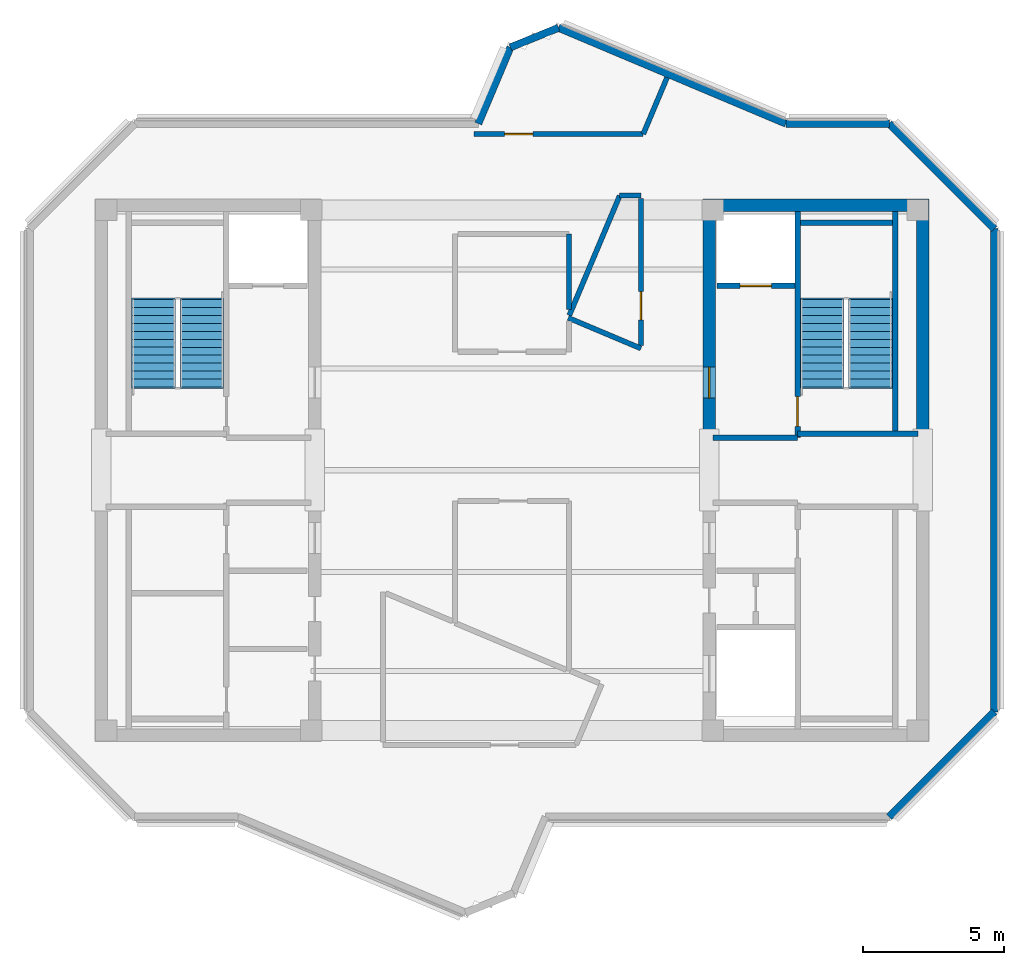
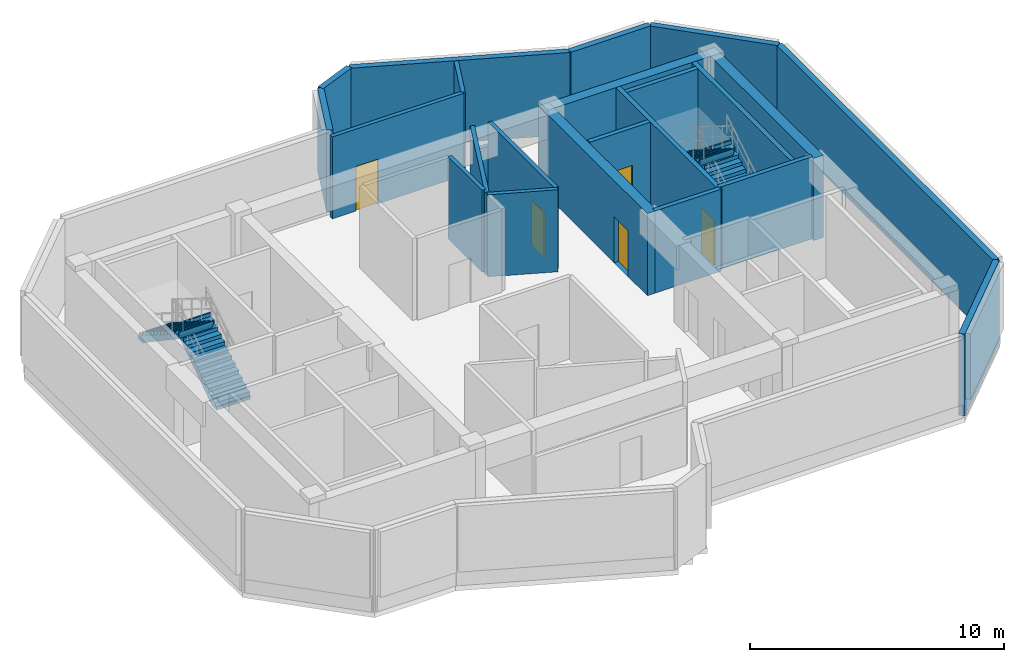
# One storey, part 3 of 5: 23 walls, 5 doors, 4 stair flights, 5 openings, 2 elements without a shape of their own.
"""IFC4 building model written with IfcOpenShell, lengths in metres."""

import ifcopenshell
import ifcopenshell.guid

model = None  # the IFC model being written
_history = None  # IfcOwnerHistory: only IFC2X3 demands one
_inside = {}  # id of a spatial element -> (the spatial element, [elements in it])
_under = {}  # id of a project, library or spatial element -> (it, [spatial elements below it])
_declared = {}  # id of a project -> (the project, [libraries it declares])
_typed = {}  # id of a type object -> (the type object, [elements of that type])
_made_of = {}  # id of a material, layer set ... -> (it, [elements and type objects made of it])


def new_model(schema):
    """Start an empty IFC model of exactly this schema.

    Asked for "IFC4X3", IfcOpenShell would pick the latest addendum, in which some entities
    have other attributes; the version numbers below select the first issue.
    IFC2X3 requires an IfcOwnerHistory on every rooted entity: one is made here for all.
    """
    global model, _history
    if schema == "IFC4X3":
        model = ifcopenshell.file(schema_version=(4, 3, 0, 0))
    else:
        model = ifcopenshell.file(schema=schema)
    _inside.clear()
    _under.clear()
    _declared.clear()
    _typed.clear()
    _made_of.clear()
    _history = None
    if model.schema == "IFC2X3":
        org = make("IfcOrganization", Name="unknown")
        user = make(
            "IfcPersonAndOrganization",
            ThePerson=make("IfcPerson", FamilyName="unknown"),
            TheOrganization=org,
        )
        app = make(
            "IfcApplication",
            ApplicationDeveloper=org,
            Version="unknown",
            ApplicationFullName="unknown",
            ApplicationIdentifier="unknown",
        )
        _history = make(
            "IfcOwnerHistory",
            OwningUser=user,
            OwningApplication=app,
            ChangeAction="ADDED",
            CreationDate=0,
        )
    return model


def make(cls, **values):
    """One entity of the class cls with the attributes given. An attribute that is None is left unset."""
    return model.create_entity(
        cls, **{name: value for name, value in values.items() if value is not None}
    )


def rooted(cls, **values):
    """An entity with a GlobalId (a new one), such as an element, a storey or a relation."""
    return make(cls, GlobalId=ifcopenshell.guid.new(), OwnerHistory=_history, **values)


def si_unit(unit_type, name, prefix=None):
    """IfcSIUnit, for example si_unit("LENGTHUNIT", "METRE", prefix="MILLI")."""
    return make("IfcSIUnit", UnitType=unit_type, Prefix=prefix, Name=name)


def assignment(units):
    """IfcUnitAssignment: the units of a project."""
    return None if units is None else make("IfcUnitAssignment", Units=units)


def point(xyz):
    """IfcCartesianPoint."""
    return None if xyz is None else make("IfcCartesianPoint", Coordinates=xyz)


def direction(xyz):
    """IfcDirection."""
    return None if xyz is None else make("IfcDirection", DirectionRatios=xyz)


def frame(location, z_axis=None, x_axis=None):
    """IfcAxis2Placement3D, a coordinate frame: its origin and axes. An axis left out is left unset."""
    return make(
        "IfcAxis2Placement3D",
        Location=point(location),
        Axis=direction(z_axis),
        RefDirection=direction(x_axis),
    )


def frame_2d(location, x_axis=None):
    """IfcAxis2Placement2D, a coordinate frame in the plane: its origin and x axis."""
    return make(
        "IfcAxis2Placement2D", Location=point(location), RefDirection=direction(x_axis)
    )


def origin():
    """The frame at (0, 0, 0) with its axes left unset."""
    return frame((0.0, 0.0, 0.0))


def place(relative_to, where):
    """IfcLocalPlacement: puts the frame where relative to a parent placement (None: the world)."""
    return make(
        "IfcLocalPlacement", PlacementRelTo=relative_to, RelativePlacement=where
    )


def context(
    kind, dimensions, precision=None, world=None, true_north=None, identifier=None
):
    """IfcGeometricRepresentationContext, for example the 3D "Model" context."""
    return make(
        "IfcGeometricRepresentationContext",
        ContextIdentifier=identifier,
        ContextType=kind,
        CoordinateSpaceDimension=dimensions,
        Precision=precision,
        WorldCoordinateSystem=world,
        TrueNorth=true_north,
    )


def subcontext(parent, identifier, kind, view, scale=None):
    """IfcGeometricRepresentationSubContext, for example "Body" below "Model"."""
    return make(
        "IfcGeometricRepresentationSubContext",
        ContextIdentifier=identifier,
        ContextType=kind,
        ParentContext=parent,
        TargetScale=scale,
        TargetView=view,
    )


def project(units=None, contexts=None):
    """IfcProject with its units and contexts."""
    return rooted(
        "IfcProject",
        Name="project",
        RepresentationContexts=contexts,
        UnitsInContext=assignment(units),
    )


def spatial(cls, under=None, at=None, **own):
    """A site, building, storey or space (cls), placed at a placement, below another one or the project."""
    s = rooted(cls, ObjectPlacement=at, **own)
    if under is not None:
        _under.setdefault(under.id(), (under, []))[1].append(s)
    return s


def polyline(points):
    """IfcPolyline through the points."""
    return make("IfcPolyline", Points=[point(p) for p in points])


def profile(cls, at=None, kind="AREA", **sizes):
    """A parametric profile (cls). Its sizes go by their IFC names, for example OverallWidth=200.0."""
    return make(cls, ProfileType=kind, Position=at, **sizes)


def rectangle(**sizes):
    """IfcRectangleProfileDef."""
    return profile("IfcRectangleProfileDef", **sizes)


def outline(outer, holes=None, kind="AREA"):
    """IfcArbitraryClosedProfileDef: a profile drawn as a closed curve; with holes, ...WithVoids."""
    if holes is None:
        return make("IfcArbitraryClosedProfileDef", ProfileType=kind, OuterCurve=outer)
    return make(
        "IfcArbitraryProfileDefWithVoids",
        ProfileType=kind,
        OuterCurve=outer,
        InnerCurves=holes,
    )


def extrude(swept, where, along, depth):
    """IfcExtrudedAreaSolid: the profile swept, set in the frame where, extruded along a direction by depth."""
    return make(
        "IfcExtrudedAreaSolid",
        SweptArea=swept,
        Position=where,
        ExtrudedDirection=direction(along),
        Depth=depth,
    )


def shape(context_of_items, identifier, shape_type, items):
    """IfcShapeRepresentation: the items that make up one representation, for example the "Body"."""
    return make(
        "IfcShapeRepresentation",
        ContextOfItems=context_of_items,
        RepresentationIdentifier=identifier,
        RepresentationType=shape_type,
        Items=items,
    )


def source(mapping_origin, context_of_items, identifier, shape_type, items):
    """IfcRepresentationMap: a shape defined once, which mapped items show again and again."""
    return make(
        "IfcRepresentationMap",
        MappingOrigin=mapping_origin,
        MappedRepresentation=shape(context_of_items, identifier, shape_type, items),
    )


def transform(
    local_origin,
    x_axis=None,
    y_axis=None,
    z_axis=None,
    scale=None,
    scale2=None,
    scale3=None,
    uniform=True,
):
    """IfcCartesianTransformationOperator3D, or its non-uniform kind. x_axis, y_axis, z_axis: its Axis1, 2, 3."""
    if uniform:
        return make(
            "IfcCartesianTransformationOperator3D",
            Axis1=direction(x_axis),
            Axis2=direction(y_axis),
            LocalOrigin=point(local_origin),
            Scale=scale,
            Axis3=direction(z_axis),
        )
    return make(
        "IfcCartesianTransformationOperator3DnonUniform",
        Axis1=direction(x_axis),
        Axis2=direction(y_axis),
        LocalOrigin=point(local_origin),
        Scale=scale,
        Axis3=direction(z_axis),
        Scale2=scale2,
        Scale3=scale3,
    )


def mapped(mapping_source, mapping_target):
    """IfcMappedItem: shows the shape of a source again, moved by a transform."""
    return make(
        "IfcMappedItem", MappingSource=mapping_source, MappingTarget=mapping_target
    )


def material(Name=None, Category=None):
    """IfcMaterial."""
    return make("IfcMaterial", Name=Name, Category=Category)


def layer(
    of_material, thickness, ventilated=None, Name=None, Category=None, Priority=None
):
    """IfcMaterialLayer: one layer of a wall or slab, of a material (None: an air gap)."""
    return make(
        "IfcMaterialLayer",
        Material=of_material,
        LayerThickness=thickness,
        IsVentilated=ventilated,
        Name=Name,
        Category=Category,
        Priority=Priority,
    )


def layer_set(layers, Name=None):
    """IfcMaterialLayerSet."""
    return make("IfcMaterialLayerSet", MaterialLayers=layers, LayerSetName=Name)


def made_of(thing, what):
    """Note that an element or type object is made of a material, layer set ...; save() writes the relation."""
    if what is not None:
        _made_of.setdefault(what.id(), (what, []))[1].append(thing)
    return thing


def type_object(cls, material=None, **own):
    """A type object (cls), such as IfcWallType, which elements share."""
    return made_of(rooted(cls, **own), material)


def element(
    cls,
    number,
    at=None,
    inside=None,
    cuts=None,
    type_object=None,
    material=None,
    context=None,
    identifier="Body",
    shape_type=None,
    held_by="IfcProductDefinitionShape",
    body=None,
    shapes=None,
    **own,
):
    """One element of the class cls, such as IfcWall. Its Tag is "e" and its number.

    at: its placement. inside: the storey or other place that contains it. cuts: it is an
    opening in that element (IfcRelVoidsElement). A single representation is given by context,
    identifier, shape_type and body (its items); several are given by shapes. held_by: the class
    of the entity that holds the representations. save() writes the other relations.
    """
    e = rooted(cls, Tag="e%d" % number, ObjectPlacement=at, **own)
    if body is not None:
        shapes = [shape(context, identifier, shape_type, body)]
    if shapes is not None:
        e.Representation = make(held_by, Representations=shapes)
    if inside is not None:
        _inside.setdefault(inside.id(), (inside, []))[1].append(e)
    if cuts is not None:
        rooted(
            "IfcRelVoidsElement", RelatingBuildingElement=cuts, RelatedOpeningElement=e
        )
    if type_object is not None:
        _typed.setdefault(type_object.id(), (type_object, []))[1].append(e)
    return made_of(e, material)


def fill(opening, filler):
    """IfcRelFillsElement: the door or window that sits in an opening."""
    return rooted(
        "IfcRelFillsElement",
        RelatingOpeningElement=opening,
        RelatedBuildingElement=filler,
    )


def aggregate(whole, parts):
    """IfcRelAggregates: a whole, such as a stair, and the parts it consists of."""
    return rooted("IfcRelAggregates", RelatingObject=whole, RelatedObjects=parts)


def save(model, path):
    """Write the relations noted so far, then the file.

    IfcRelAggregates (storeys below a building ...), IfcRelContainedInSpatialStructure (elements
    in a storey), IfcRelDefinesByType, IfcRelAssociatesMaterial and IfcRelDeclares: one each for
    every whole, place, type object, material and project.
    """
    for whole, parts in _under.values():
        aggregate(whole, parts)
    for where, things in _inside.values():
        rooted(
            "IfcRelContainedInSpatialStructure",
            RelatedElements=things,
            RelatingStructure=where,
        )
    for kind, things in _typed.values():
        rooted("IfcRelDefinesByType", RelatedObjects=things, RelatingType=kind)
    for what, things in _made_of.values():
        rooted("IfcRelAssociatesMaterial", RelatedObjects=things, RelatingMaterial=what)
    for by, libraries in _declared.values():
        rooted("IfcRelDeclares", RelatingContext=by, RelatedDefinitions=libraries)
    model.write(path)


model = new_model("IFC4")

# Units and contexts
model_context = context("Model", 3, precision=1e-05, world=origin(), true_north=direction((0.0, 1.0)))
body_context = subcontext(model_context, "Body", "Model", "MODEL_VIEW")
ifc_project = project(units=[si_unit("LENGTHUNIT", "METRE"), si_unit("AREAUNIT", "SQUARE_METRE"), si_unit("VOLUMEUNIT", "CUBIC_METRE"), si_unit("PLANEANGLEUNIT", "RADIAN"), si_unit("MASSUNIT", "GRAM", prefix="KILO")], contexts=[model_context])

# Site, building, storey
site_placement = place(None, origin())
site = spatial("IfcSite", under=ifc_project, at=site_placement, CompositionType="ELEMENT")
building_placement = place(site_placement, origin())
building = spatial("IfcBuilding", under=site, at=building_placement, Name="Zahravan Cultural Tower", CompositionType="ELEMENT")
storey_placement = place(building_placement, frame((0.0, 0.0, 383.85009765625)))
storey = spatial("IfcBuildingStorey", under=building, at=storey_placement, Name="L93", CompositionType="ELEMENT", Elevation=383.85009765625)

# Wall, opening, door
ifc_material_1 = material(Name="Concrete C50/60", Category="concrete")
ifc_layer_1 = layer(ifc_material_1, 0.449951171875)
ifc_layer_set_1 = layer_set([ifc_layer_1], Name="Concrete C50/60")
wall_type_1 = type_object("IfcWallType", Name="CW-SHEAR-450-C50", PredefinedType="SHEAR", material=ifc_layer_set_1)
wall_1_placement = place(storey_placement, frame((42.97509765625, 28.050048828125, 0.0), z_axis=(0.0, 0.0, 1.0), x_axis=(0.0, 1.0, 0.0)))
wall_1 = element("IfcWall", 1, at=wall_1_placement, inside=storey, type_object=wall_type_1, Name="L93 Core Shear Wall CW-E-WN-L93", PredefinedType="SHEAR", context=body_context, shape_type="SweptSolid", body=[
    extrude(rectangle(XDim=8.550048828125, YDim=0.449951171875, at=frame_2d((4.27490234375, 0.0))), origin(), (0.0, 0.0, 1.0), 3.93994140625),
])
opening_1_placement = place(wall_1_placement, frame((1.5, 0.0, 0.0)))
opening_1 = element("IfcOpeningElement", 2, at=opening_1_placement, cuts=wall_1, Name="Opening D-L93-07", PredefinedType="OPENING", context=body_context, shape_type="SweptSolid", body=[
    extrude(rectangle(XDim=1.10009765625, YDim=2.199951171875, at=frame_2d((0.550048828125, 1.10009765625))), frame((0.0, 0.23486328125, 0.0), z_axis=(0.0, -1.0, 0.0), x_axis=(1.0, 0.0, 0.0)), (0.0, 0.0, 1.0), 0.469970703125),
])
ifc_material_2 = material(Name="Steel ASTM A572 Grade 50", Category="steel")
door_type_1 = type_object("IfcDoorType", Name="DR-LOBBY-1100", OperationType="NOTDEFINED", PredefinedType="DOOR", material=ifc_material_2)
shared_shape_1 = source(origin(), body_context, "Body", "SweptSolid", [
    extrude(rectangle(XDim=1.10009765625, YDim=2.199951171875, at=frame_2d((0.550048828125, 1.10009765625))), frame((0.0, 0.02490234375, 0.0), z_axis=(0.0, -1.0, 0.0), x_axis=(1.0, 0.0, 0.0)), (0.0, 0.0, 1.0), 0.050048828125),
])
door_1_placement = place(opening_1_placement, origin())
door_1 = element("IfcDoor", 3, at=door_1_placement, inside=storey, type_object=door_type_1, Name="L93 Door D-L93-07", OperationType="SINGLE_SWING_LEFT", OverallHeight=2.199951171875, OverallWidth=1.10009765625, PredefinedType="DOOR", context=body_context, shape_type="MappedRepresentation", body=[
    mapped(shared_shape_1, transform((0.0, 0.0, 0.0), x_axis=(1.0, 0.0, 0.0), y_axis=(0.0, 1.0, 0.0), z_axis=(0.0, 0.0, 1.0), scale=1.0)),
])
fill(opening_1, door_1)

ifc_material_3 = material(Name="Gypsum plasterboard partition")
ifc_layer_2 = layer(ifc_material_3, 0.179931640625)
ifc_layer_set_2 = layer_set([ifc_layer_2], Name="Gypsum plasterboard partition")
wall_type_2 = type_object("IfcWallType", Name="W-COMP-180", PredefinedType="PARTITIONING", material=ifc_layer_set_2)
wall_2_placement = place(storey_placement, frame((40.56005859375, 36.614990234375, 0.0), z_axis=(0.0, 0.0, 1.0), x_axis=(0.0, -1.0, 0.0)))
wall_2 = element("IfcWall", 4, at=wall_2_placement, inside=storey, type_object=wall_type_2, Name="L93 Interior Wall 032", PredefinedType="PARTITIONING", context=body_context, shape_type="SweptSolid", body=[
    extrude(rectangle(XDim=5.20458984375, YDim=0.179931640625, at=frame_2d((2.602294921875, 0.0))), origin(), (0.0, 0.0, 1.0), 3.93994140625),
])
opening_2_placement = place(wall_2_placement, frame((3.293701171875, 0.0, 0.0)))
opening_2 = element("IfcOpeningElement", 5, at=opening_2_placement, cuts=wall_2, Name="Opening D-L93-15", PredefinedType="OPENING", context=body_context, shape_type="SweptSolid", body=[
    extrude(rectangle(XDim=1.0, YDim=2.14990234375, at=frame_2d((0.5, 1.074951171875))), frame((0.0, 0.099853515625, 0.0), z_axis=(0.0, -1.0, 0.0), x_axis=(1.0, 0.0, 0.0)), (0.0, 0.0, 1.0), 0.199951171875),
])
door_type_2 = type_object("IfcDoorType", Name="DR-COMP-1000", OperationType="NOTDEFINED", PredefinedType="DOOR", material=ifc_material_2)
shared_shape_2 = source(origin(), body_context, "Body", "SweptSolid", [
    extrude(rectangle(XDim=1.0, YDim=2.14990234375, at=frame_2d((0.5, 1.074951171875))), frame((0.0, 0.02490234375, 0.0), z_axis=(0.0, -1.0, 0.0), x_axis=(1.0, 0.0, 0.0)), (0.0, 0.0, 1.0), 0.050048828125),
])
door_2_placement = place(opening_2_placement, origin())
door_2 = element("IfcDoor", 6, at=door_2_placement, inside=storey, type_object=door_type_2, Name="L93 Door D-L93-15", OperationType="SINGLE_SWING_LEFT", OverallHeight=2.14990234375, OverallWidth=1.0, PredefinedType="DOOR", context=body_context, shape_type="MappedRepresentation", body=[
    mapped(shared_shape_2, transform((0.0, 0.0, 0.0), x_axis=(1.0, 0.0, 0.0), y_axis=(0.0, 1.0, 0.0), z_axis=(0.0, 0.0, 1.0), scale=1.0)),
])
fill(opening_2, door_2)

wall_3_placement = place(storey_placement, frame((40.641357421875, 38.889892578125, 0.0), z_axis=(0.0, 0.0, 1.0), x_axis=(-1.0, 0.0, 0.0)))
wall_3 = element("IfcWall", 7, at=wall_3_placement, inside=storey, type_object=wall_type_2, Name="L93 Interior Wall 039", PredefinedType="PARTITIONING", context=body_context, shape_type="SweptSolid", body=[
    extrude(rectangle(XDim=5.989990234375, YDim=0.179931640625, at=frame_2d((2.9951171875, 0.0))), origin(), (0.0, 0.0, 1.0), 3.93994140625),
])
opening_3_placement = place(wall_3_placement, frame((3.90625, 0.0, 0.0)))
opening_3 = element("IfcOpeningElement", 8, at=opening_3_placement, cuts=wall_3, Name="Opening D-L93-16", PredefinedType="OPENING", context=body_context, shape_type="SweptSolid", body=[
    extrude(rectangle(XDim=1.0, YDim=2.14990234375, at=frame_2d((0.5, 1.074951171875))), frame((0.0, 0.099853515625, 0.0), z_axis=(0.0, -1.0, 0.0), x_axis=(1.0, 0.0, 0.0)), (0.0, 0.0, 1.0), 0.199951171875),
])
door_3_placement = place(opening_3_placement, origin())
door_3 = element("IfcDoor", 9, at=door_3_placement, inside=storey, type_object=door_type_2, Name="L93 Door D-L93-16", OperationType="SINGLE_SWING_RIGHT", OverallHeight=2.14990234375, OverallWidth=1.0, PredefinedType="DOOR", context=body_context, shape_type="MappedRepresentation", body=[
    mapped(shared_shape_2, transform((0.0, 0.0, 0.0), x_axis=(1.0, 0.0, 0.0), y_axis=(0.0, 1.0, 0.0), z_axis=(0.0, 0.0, 1.0), scale=1.0)),
])
fill(opening_3, door_3)

ifc_material_4 = material(Name="Concrete C45/55", Category="concrete")
ifc_layer_3 = layer(ifc_material_4, 0.199951171875)
ifc_layer_set_3 = layer_set([ifc_layer_3], Name="Concrete C45/55")
wall_type_3 = type_object("IfcWallType", Name="W-SHAFT-200", PredefinedType="SOLIDWALL", material=ifc_layer_set_3)
wall_4_placement = place(storey_placement, frame((46.10009765625, 28.14990234375, 0.0), z_axis=(0.0, 0.0, 1.0), x_axis=(0.0, 1.0, 0.0)))
wall_4 = element("IfcWall", 10, at=wall_4_placement, inside=storey, type_object=wall_type_3, Name="L93 Interior Wall 008", PredefinedType="SOLIDWALL", context=body_context, shape_type="SweptSolid", body=[
    extrude(rectangle(XDim=8.0, YDim=0.199951171875, at=frame_2d((4.0, 0.0))), origin(), (0.0, 0.0, 1.0), 3.93994140625),
])
opening_4_placement = place(wall_4_placement, frame((0.39990234375, 0.0, 0.0)))
opening_4 = element("IfcOpeningElement", 11, at=opening_4_placement, cuts=wall_4, Name="Opening D-L93-02", PredefinedType="OPENING", context=body_context, shape_type="SweptSolid", body=[
    extrude(rectangle(XDim=1.050048828125, YDim=2.14990234375, at=frame_2d((0.52490234375, 1.074951171875))), frame((0.0, 0.10986328125, 0.0), z_axis=(0.0, -1.0, 0.0), x_axis=(1.0, 0.0, 0.0)), (0.0, 0.0, 1.0), 0.219970703125),
])
door_type_3 = type_object("IfcDoorType", Name="DR-STAIR-1050", OperationType="NOTDEFINED", PredefinedType="DOOR", material=ifc_material_2)
shared_shape_3 = source(origin(), body_context, "Body", "SweptSolid", [
    extrude(rectangle(XDim=1.050048828125, YDim=2.14990234375, at=frame_2d((0.52490234375, 1.074951171875))), frame((0.0, 0.02490234375, 0.0), z_axis=(0.0, -1.0, 0.0), x_axis=(1.0, 0.0, 0.0)), (0.0, 0.0, 1.0), 0.050048828125),
])
door_4_placement = place(opening_4_placement, origin())
door_4 = element("IfcDoor", 12, at=door_4_placement, inside=storey, type_object=door_type_3, Name="L93 Door D-L93-02", OperationType="SINGLE_SWING_RIGHT", OverallHeight=2.14990234375, OverallWidth=1.050048828125, PredefinedType="DOOR", context=body_context, shape_type="MappedRepresentation", body=[
    mapped(shared_shape_3, transform((0.0, 0.0, 0.0), x_axis=(1.0, 0.0, 0.0), y_axis=(0.0, 1.0, 0.0), z_axis=(0.0, 0.0, 1.0), scale=1.0)),
])
fill(opening_4, door_4)

wall_5_placement = place(storey_placement, frame((43.25, 33.52001953125, 0.0), z_axis=(0.0, 0.0, 1.0), x_axis=(1.0, 0.0, 0.0)))
wall_5 = element("IfcWall", 13, at=wall_5_placement, inside=storey, type_object=wall_type_3, Name="L93 Interior Wall 023", PredefinedType="SOLIDWALL", context=body_context, shape_type="SweptSolid", body=[
    extrude(rectangle(XDim=2.75, YDim=0.199951171875, at=frame_2d((1.375, 0.0))), origin(), (0.0, 0.0, 1.0), 3.93994140625),
])
opening_5_placement = place(wall_5_placement, frame((0.820068359375, 0.0, 0.0)))
opening_5 = element("IfcOpeningElement", 14, at=opening_5_placement, cuts=wall_5, Name="Opening LD-L93-02", PredefinedType="OPENING", context=body_context, shape_type="SweptSolid", body=[
    extrude(rectangle(XDim=1.10009765625, YDim=2.14990234375, at=frame_2d((0.550048828125, 1.074951171875))), frame((0.0, 0.10986328125, 0.0), z_axis=(0.0, -1.0, 0.0), x_axis=(1.0, 0.0, 0.0)), (0.0, 0.0, 1.0), 0.219970703125),
])
door_type_4 = type_object("IfcDoorType", Name="DR-LIFT-1100", OperationType="DOUBLE_DOOR_SLIDING", PredefinedType="DOOR", material=ifc_material_2)
shared_shape_4 = source(origin(), body_context, "Body", "SweptSolid", [
    extrude(rectangle(XDim=1.10009765625, YDim=2.14990234375, at=frame_2d((0.550048828125, 1.074951171875))), frame((0.0, 0.02490234375, 0.0), z_axis=(0.0, -1.0, 0.0), x_axis=(1.0, 0.0, 0.0)), (0.0, 0.0, 1.0), 0.050048828125),
])
door_5_placement = place(opening_5_placement, origin())
door_5 = element("IfcDoor", 15, at=door_5_placement, inside=storey, type_object=door_type_4, Name="L93 Door LD-L93-02", OperationType="DOUBLE_DOOR_SLIDING", OverallHeight=2.14990234375, OverallWidth=1.10009765625, PredefinedType="DOOR", context=body_context, shape_type="MappedRepresentation", body=[
    mapped(shared_shape_4, transform((0.0, 0.0, 0.0), x_axis=(1.0, 0.0, 0.0), y_axis=(0.0, 1.0, 0.0), z_axis=(0.0, 0.0, 1.0), scale=1.0)),
])
fill(opening_5, door_5)

# Walls
shared_shape_5 = source(origin(), body_context, "Body", "SweptSolid", [
    extrude(rectangle(XDim=8.550048828125, YDim=0.449951171875, at=frame_2d((4.27490234375, 0.0))), origin(), (0.0, 0.0, 1.0), 3.93994140625),
])
wall_6_placement = place(storey_placement, frame((50.52490234375, 28.050048828125, 0.0), z_axis=(0.0, 0.0, 1.0), x_axis=(0.0, 1.0, 0.0)))
element("IfcWall", 16, at=wall_6_placement, inside=storey, type_object=wall_type_1, Name="L93 Core Shear Wall CW-E-EN-L93", PredefinedType="SHEAR", context=body_context, shape_type="MappedRepresentation", body=[
    mapped(shared_shape_5, transform((0.0, 0.0, 0.0), x_axis=(1.0, 0.0, 0.0), y_axis=(0.0, 1.0, 0.0), z_axis=(0.0, 0.0, 1.0), scale=1.0)),
])
shared_shape_6 = source(origin(), body_context, "Body", "SweptSolid", [
    extrude(rectangle(XDim=7.10009765625, YDim=0.449951171875, at=frame_2d((3.550048828125, 0.0))), origin(), (0.0, 0.0, 1.0), 3.93994140625),
])
wall_7_placement = place(storey_placement, frame((43.199951171875, 36.375, 0.0), z_axis=(0.0, 0.0, 1.0), x_axis=(1.0, 0.0, 0.0)))
element("IfcWall", 17, at=wall_7_placement, inside=storey, type_object=wall_type_1, Name="L93 Core Shear Wall CW-E-N-L93", PredefinedType="SHEAR", context=body_context, shape_type="MappedRepresentation", body=[
    mapped(shared_shape_6, transform((0.0, 0.0, 0.0), x_axis=(1.0, 0.0, 0.0), y_axis=(0.0, 1.0, 0.0), z_axis=(0.0, 0.0, 1.0), scale=1.0)),
])
ifc_material_5 = material(Name="Precast concrete C40/50", Category="concrete")
ifc_layer_4 = layer(ifc_material_5, 0.260009765625)
ifc_layer_set_4 = layer_set([ifc_layer_4], Name="Precast concrete C40/50")
wall_type_4 = type_object("IfcWallType", Name="EW-CROWN-260", PredefinedType="SOLIDWALL", material=ifc_layer_set_4)
shared_shape_7 = source(origin(), body_context, "Body", "SweptSolid", [
    extrude(rectangle(XDim=2.92529296875, YDim=0.260009765625, at=frame_2d((1.462646484375, 0.0))), origin(), (0.0, 0.0, 1.0), 3.93994140625),
])
wall_8_placement = place(storey_placement, frame((34.80712890625, 39.260009765625, 0.0), z_axis=(0.0, 0.0, 1.0), x_axis=(0.388321883953, 0.921523800259, 0.0)))
element("IfcWall", 18, at=wall_8_placement, inside=storey, type_object=wall_type_4, Name="L93 Exterior Masonry Frame Wall 01", PredefinedType="SOLIDWALL", context=body_context, shape_type="MappedRepresentation", body=[
    mapped(shared_shape_7, transform((0.0, 0.0, 0.0), x_axis=(1.0, 0.0, 0.0), y_axis=(0.0, 1.0, 0.0), z_axis=(0.0, 0.0, 1.0), scale=1.0)),
])
shared_shape_8 = source(origin(), body_context, "Body", "SweptSolid", [
    extrude(rectangle(XDim=1.838623046875, YDim=0.260009765625, at=frame_2d((0.91943359375, 0.0))), origin(), (0.0, 0.0, 1.0), 3.93994140625),
])
wall_9_placement = place(storey_placement, frame((35.943115234375, 41.955810546875, 0.0), z_axis=(0.0, 0.0, 1.0), x_axis=(0.926216039781, 0.376993166586, 0.0)))
element("IfcWall", 19, at=wall_9_placement, inside=storey, type_object=wall_type_4, Name="L93 Exterior Masonry Frame Wall 02", PredefinedType="SOLIDWALL", context=body_context, shape_type="MappedRepresentation", body=[
    mapped(shared_shape_8, transform((0.0, 0.0, 0.0), x_axis=(1.0, 0.0, 0.0), y_axis=(0.0, 1.0, 0.0), z_axis=(0.0, 0.0, 1.0), scale=1.0)),
])
shared_shape_9 = source(origin(), body_context, "Body", "SweptSolid", [
    extrude(rectangle(XDim=8.72705078125, YDim=0.260009765625, at=frame_2d((4.363525390625, 0.0))), origin(), (0.0, 0.0, 1.0), 3.93994140625),
])
wall_10_placement = place(storey_placement, frame((37.64599609375, 42.64892578125, 0.0), z_axis=(0.0, 0.0, 1.0), x_axis=(0.921524227272, -0.38832087061, 0.0)))
element("IfcWall", 20, at=wall_10_placement, inside=storey, type_object=wall_type_4, Name="L93 Exterior Masonry Frame Wall 03", PredefinedType="SOLIDWALL", context=body_context, shape_type="MappedRepresentation", body=[
    mapped(shared_shape_9, transform((0.0, 0.0, 0.0), x_axis=(1.0, 0.0, 0.0), y_axis=(0.0, 1.0, 0.0), z_axis=(0.0, 0.0, 1.0), scale=1.0)),
])
shared_shape_10 = source(origin(), body_context, "Body", "SweptSolid", [
    extrude(rectangle(XDim=3.65380859375, YDim=0.260009765625, at=frame_2d((1.826904296875, 0.0))), origin(), (0.0, 0.0, 1.0), 3.93994140625),
])
wall_11_placement = place(storey_placement, frame((45.688232421875, 39.260009765625, 0.0), z_axis=(0.0, 0.0, 1.0), x_axis=(1.0, 0.0, 0.0)))
element("IfcWall", 21, at=wall_11_placement, inside=storey, type_object=wall_type_4, Name="L93 Exterior Masonry Frame Wall 04", PredefinedType="SOLIDWALL", context=body_context, shape_type="MappedRepresentation", body=[
    mapped(shared_shape_10, transform((0.0, 0.0, 0.0), x_axis=(1.0, 0.0, 0.0), y_axis=(0.0, 1.0, 0.0), z_axis=(0.0, 0.0, 1.0), scale=1.0)),
])
shared_shape_11 = source(origin(), body_context, "Body", "SweptSolid", [
    extrude(rectangle(XDim=5.258056640625, YDim=0.260009765625, at=frame_2d((2.62890625, 0.0))), origin(), (0.0, 0.0, 1.0), 3.93994140625),
])
for number, where, z_axis, x_axis, name in (
    (22, (49.342041015625, 39.260009765625, 0.0), (0.0, 0.0, 1.0), (0.707106781187, -0.707106781187, 0.0), "L93 Exterior Masonry Frame Wall 05"),
    (23, (53.06005859375, 18.4580078125, 0.0), (0.0, 0.0, 1.0), (-0.707106781187, -0.707106781187, 0.0), "L93 Exterior Masonry Frame Wall 07"),
):
    element("IfcWall", number, at=place(storey_placement, frame(where, z_axis=z_axis, x_axis=x_axis)), inside=storey, type_object=wall_type_4, Name=name, PredefinedType="SOLIDWALL", context=body_context, shape_type="MappedRepresentation", body=[
        mapped(shared_shape_11, transform((0.0, 0.0, 0.0), x_axis=(1.0, 0.0, 0.0), y_axis=(0.0, 1.0, 0.0), z_axis=(0.0, 0.0, 1.0), scale=1.0)),
    ])
shared_shape_12 = source(origin(), body_context, "Body", "SweptSolid", [
    extrude(rectangle(XDim=17.083984375, YDim=0.260009765625, at=frame_2d((8.5419921875, 0.0))), origin(), (0.0, 0.0, 1.0), 3.93994140625),
])
wall_12_placement = place(storey_placement, frame((53.06005859375, 35.5419921875, 0.0), z_axis=(0.0, 0.0, 1.0), x_axis=(0.0, -1.0, 0.0)))
element("IfcWall", 24, at=wall_12_placement, inside=storey, type_object=wall_type_4, Name="L93 Exterior Masonry Frame Wall 06", PredefinedType="SOLIDWALL", context=body_context, shape_type="MappedRepresentation", body=[
    mapped(shared_shape_12, transform((0.0, 0.0, 0.0), x_axis=(1.0, 0.0, 0.0), y_axis=(0.0, 1.0, 0.0), z_axis=(0.0, 0.0, 1.0), scale=1.0)),
])
shared_shape_13 = source(origin(), body_context, "Body", "SweptSolid", [
    extrude(rectangle(XDim=7.869873046875, YDim=0.199951171875, at=frame_2d((3.93505859375, 0.0))), origin(), (0.0, 0.0, 1.0), 3.93994140625),
])
wall_13_placement = place(storey_placement, frame((49.550048828125, 28.280029296875, 0.0), z_axis=(0.0, 0.0, 1.0), x_axis=(0.0, 1.0, 0.0)))
element("IfcWall", 25, at=wall_13_placement, inside=storey, type_object=wall_type_3, Name="L93 Interior Wall 004", PredefinedType="SOLIDWALL", context=body_context, shape_type="MappedRepresentation", body=[
    mapped(shared_shape_13, transform((0.0, 0.0, 0.0), x_axis=(1.0, 0.0, 0.0), y_axis=(0.0, 1.0, 0.0), z_axis=(0.0, 0.0, 1.0), scale=1.0)),
])
shared_shape_14 = source(origin(), body_context, "Body", "SweptSolid", [
    extrude(rectangle(XDim=4.25, YDim=0.199951171875, at=frame_2d((2.125, 0.0))), origin(), (0.0, 0.0, 1.0), 3.93994140625),
])
wall_14_placement = place(storey_placement, frame((46.10009765625, 28.284912109375, 0.0), z_axis=(0.0, 0.0, 1.0), x_axis=(1.0, 0.0, 0.0)))
element("IfcWall", 26, at=wall_14_placement, inside=storey, type_object=wall_type_3, Name="L93 Interior Wall 016", PredefinedType="SOLIDWALL", context=body_context, shape_type="MappedRepresentation", body=[
    mapped(shared_shape_14, transform((0.0, 0.0, 0.0), x_axis=(1.0, 0.0, 0.0), y_axis=(0.0, 1.0, 0.0), z_axis=(0.0, 0.0, 1.0), scale=1.0)),
])
shared_shape_15 = source(origin(), body_context, "Body", "SweptSolid", [
    extrude(rectangle(XDim=3.0, YDim=0.199951171875, at=frame_2d((1.5, 0.0))), origin(), (0.0, 0.0, 1.0), 3.93994140625),
])
wall_15_placement = place(storey_placement, frame((43.10009765625, 28.14990234375, 0.0), z_axis=(0.0, 0.0, 1.0), x_axis=(1.0, 0.0, 0.0)))
element("IfcWall", 27, at=wall_15_placement, inside=storey, type_object=wall_type_3, Name="L93 Interior Wall 015", PredefinedType="SOLIDWALL", context=body_context, shape_type="MappedRepresentation", body=[
    mapped(shared_shape_15, transform((0.0, 0.0, 0.0), x_axis=(1.0, 0.0, 0.0), y_axis=(0.0, 1.0, 0.0), z_axis=(0.0, 0.0, 1.0), scale=1.0)),
])
shared_shape_16 = source(origin(), body_context, "Body", "SweptSolid", [
    extrude(rectangle(XDim=3.25, YDim=0.199951171875, at=frame_2d((1.625, 0.0))), origin(), (0.0, 0.0, 1.0), 3.93994140625),
])
wall_16_placement = place(storey_placement, frame((46.199951171875, 35.75, 0.0), z_axis=(0.0, 0.0, 1.0), x_axis=(1.0, 0.0, 0.0)))
element("IfcWall", 28, at=wall_16_placement, inside=storey, type_object=wall_type_3, Name="L93 Interior Wall 018", PredefinedType="SOLIDWALL", context=body_context, shape_type="MappedRepresentation", body=[
    mapped(shared_shape_16, transform((0.0, 0.0, 0.0), x_axis=(1.0, 0.0, 0.0), y_axis=(0.0, 1.0, 0.0), z_axis=(0.0, 0.0, 1.0), scale=1.0)),
])
shared_shape_17 = source(origin(), body_context, "Body", "SweptSolid", [
    extrude(rectangle(XDim=2.789306640625, YDim=0.179931640625, at=frame_2d((1.39453125, 0.0))), origin(), (0.0, 0.0, 1.0), 3.93994140625),
])
wall_17_placement = place(storey_placement, frame((40.56005859375, 31.307373046875, 0.0), z_axis=(0.0, 0.0, 1.0), x_axis=(-0.921549681246, 0.388260460253, 0.0)))
element("IfcWall", 29, at=wall_17_placement, inside=storey, type_object=wall_type_2, Name="L93 Interior Wall 029", PredefinedType="PARTITIONING", context=body_context, shape_type="MappedRepresentation", body=[
    mapped(shared_shape_17, transform((0.0, 0.0, 0.0), x_axis=(1.0, 0.0, 0.0), y_axis=(0.0, 1.0, 0.0), z_axis=(0.0, 0.0, 1.0), scale=1.0)),
])
shared_shape_18 = source(origin(), body_context, "Body", "SweptSolid", [
    extrude(rectangle(XDim=4.59228515625, YDim=0.179931640625, at=frame_2d((2.296142578125, 0.0))), origin(), (0.0, 0.0, 1.0), 3.93994140625),
])
wall_18_placement = place(storey_placement, frame((38.0263671875, 32.47802734375, 0.0), z_axis=(0.0, 0.0, 1.0), x_axis=(0.388304163806, 0.92153126717, 0.0)))
element("IfcWall", 30, at=wall_18_placement, inside=storey, type_object=wall_type_2, Name="L93 Interior Wall 030", PredefinedType="PARTITIONING", context=body_context, shape_type="MappedRepresentation", body=[
    mapped(shared_shape_18, transform((0.0, 0.0, 0.0), x_axis=(1.0, 0.0, 0.0), y_axis=(0.0, 1.0, 0.0), z_axis=(0.0, 0.0, 1.0), scale=1.0)),
])
shared_shape_19 = source(origin(), body_context, "Body", "SweptSolid", [
    extrude(rectangle(XDim=0.75048828125, YDim=0.179931640625, at=frame_2d((0.375244140625, 0.0))), origin(), (0.0, 0.0, 1.0), 2.781982421875),
])
wall_19_placement = place(storey_placement, frame((39.8095703125, 36.7099609375, 0.0), z_axis=(0.0, 0.0, 1.0), x_axis=(1.0, 0.0, 0.0)))
element("IfcWall", 31, at=wall_19_placement, inside=storey, type_object=wall_type_2, Name="L93 Interior Wall 031", PredefinedType="PARTITIONING", context=body_context, shape_type="MappedRepresentation", body=[
    mapped(shared_shape_19, transform((0.0, 0.0, 0.0), x_axis=(1.0, 0.0, 0.0), y_axis=(0.0, 1.0, 0.0), z_axis=(0.0, 0.0, 1.0), scale=1.0)),
])
shared_shape_20 = source(origin(), body_context, "Body", "SweptSolid", [
    extrude(rectangle(XDim=2.676025390625, YDim=0.179931640625, at=frame_2d((1.337890625, 0.0))), origin(), (0.0, 0.0, 1.0), 3.93994140625),
])
wall_20_placement = place(storey_placement, frame((38.010009765625, 35.360107421875, 0.0), z_axis=(0.0, 0.0, 1.0), x_axis=(0.0, -1.0, 0.0)))
element("IfcWall", 32, at=wall_20_placement, inside=storey, type_object=wall_type_2, Name="L93 Interior Wall 035", PredefinedType="PARTITIONING", context=body_context, shape_type="MappedRepresentation", body=[
    mapped(shared_shape_20, transform((0.0, 0.0, 0.0), x_axis=(1.0, 0.0, 0.0), y_axis=(0.0, 1.0, 0.0), z_axis=(0.0, 0.0, 1.0), scale=1.0)),
])
shared_shape_21 = source(origin(), body_context, "Body", "SweptSolid", [
    extrude(rectangle(XDim=2.165771484375, YDim=0.179931640625, at=frame_2d((1.0830078125, 0.0))), origin(), (0.0, 0.0, 1.0), 3.93994140625),
])
wall_21_placement = place(storey_placement, frame((41.482421875, 40.8857421875, 0.0), z_axis=(0.0, 0.0, 1.0), x_axis=(-0.388334150913, -0.921518630976, 0.0)))
element("IfcWall", 33, at=wall_21_placement, inside=storey, type_object=wall_type_2, Name="L93 Interior Wall 038", PredefinedType="PARTITIONING", context=body_context, shape_type="MappedRepresentation", body=[
    mapped(shared_shape_21, transform((0.0, 0.0, 0.0), x_axis=(1.0, 0.0, 0.0), y_axis=(0.0, 1.0, 0.0), z_axis=(0.0, 0.0, 1.0), scale=1.0)),
])

# Stair, stair flights
stair_type = type_object("IfcStairType", Name="STR-DL-1550-420", PredefinedType="HALF_TURN_STAIR", material=ifc_material_4)
stair_1_placement = place(storey_placement, origin())
stair_1 = element("IfcStair", 34, at=stair_1_placement, inside=storey, type_object=stair_type, Name="L93 West Core North Exit Stair ST-W1", PredefinedType="HALF_TURN_STAIR")
stair_flight_type = type_object("IfcStairFlightType", Name="FLG-DL-1550-420", PredefinedType="STRAIGHT", material=ifc_material_4)
stair_flight_1_placement = place(storey_placement, frame((25.02490234375, 29.949951171875, 0.0), z_axis=(0.0, 0.0, 1.0), x_axis=(0.0, 1.0, 0.0)))
stair_flight_1 = element("IfcStairFlight", 35, at=stair_flight_1_placement, type_object=stair_flight_type, Name="ST-W1 flight 1", NumberOfRisers=12, NumberOfTreads=11, PredefinedType="STRAIGHT", RiserHeight=0.175, TreadLength=0.28, context=body_context, shape_type="SweptSolid", body=[
    extrude(outline(polyline([(-0.06494140625, -0.139892578125), (-0.06494140625, 0.0), (0.0, 0.0), (0.0, 0.175048828125), (0.280029296875, 0.175048828125), (0.280029296875, 0.35009765625), (0.56005859375, 0.35009765625), (0.56005859375, 0.52490234375), (0.840087890625, 0.52490234375), (0.840087890625, 0.699951171875), (1.1201171875, 0.699951171875), (1.1201171875, 0.875), (1.39990234375, 0.875), (1.39990234375, 1.050048828125), (1.679931640625, 1.050048828125), (1.679931640625, 1.22509765625), (1.9599609375, 1.22509765625), (1.9599609375, 1.39990234375), (2.239990234375, 1.39990234375), (2.239990234375, 1.574951171875), (2.52001953125, 1.574951171875), (2.52001953125, 1.75), (2.800048828125, 1.75), (2.800048828125, 1.925048828125), (3.080078125, 1.925048828125), (3.080078125, 2.10009765625), (3.14501953125, 2.10009765625), (3.14501953125, 1.9501953125), (3.080078125, 1.748291015625), (0.28271484375, -0.139892578125), (-0.06494140625, -0.139892578125)])), frame((0.0, 0.77490234375, 0.0), z_axis=(0.0, -1.0, 0.0), x_axis=(1.0, 0.0, 0.0)), (0.0, 0.0, 1.0), 1.550048828125),
])
stair_flight_2_placement = place(storey_placement, frame((23.324951171875, 33.030029296875, 2.099853515625), z_axis=(0.0, 0.0, 1.0), x_axis=(0.0, -1.0, 0.0)))
stair_flight_2 = element("IfcStairFlight", 36, at=stair_flight_2_placement, type_object=stair_flight_type, Name="ST-W1 flight 2", NumberOfRisers=12, NumberOfTreads=11, PredefinedType="STRAIGHT", RiserHeight=0.175, TreadLength=0.28, context=body_context, shape_type="SweptSolid", body=[
    extrude(outline(polyline([(-0.06494140625, -0.139892578125), (-0.06494140625, 0.0), (0.0, 0.0), (0.0, 0.175048828125), (0.280029296875, 0.175048828125), (0.280029296875, 0.35009765625), (0.56005859375, 0.35009765625), (0.56005859375, 0.52490234375), (0.840087890625, 0.52490234375), (0.840087890625, 0.699951171875), (1.1201171875, 0.699951171875), (1.1201171875, 0.875), (1.39990234375, 0.875), (1.39990234375, 1.050048828125), (1.679931640625, 1.050048828125), (1.679931640625, 1.22509765625), (1.9599609375, 1.22509765625), (1.9599609375, 1.39990234375), (2.239990234375, 1.39990234375), (2.239990234375, 1.574951171875), (2.52001953125, 1.574951171875), (2.52001953125, 1.75), (2.800048828125, 1.75), (2.800048828125, 1.925048828125), (3.080078125, 1.925048828125), (3.080078125, 2.10009765625), (3.14501953125, 2.10009765625), (3.14501953125, 1.9501953125), (3.080078125, 1.748291015625), (0.28271484375, -0.139892578125), (-0.06494140625, -0.139892578125)])), frame((0.0, 0.77490234375, 0.0), z_axis=(0.0, -1.0, 0.0), x_axis=(1.0, 0.0, 0.0)), (0.0, 0.0, 1.0), 1.550048828125),
])
aggregate(stair_1, [stair_flight_1, stair_flight_2])

stair_2_placement = place(storey_placement, origin())
stair_2 = element("IfcStair", 37, at=stair_2_placement, inside=storey, type_object=stair_type, Name="L93 East Core North Exit Stair ST-E1", PredefinedType="HALF_TURN_STAIR")
stair_flight_3_placement = place(storey_placement, frame((48.675048828125, 29.949951171875, 0.0), z_axis=(0.0, 0.0, 1.0), x_axis=(0.0, 1.0, 0.0)))
stair_flight_3 = element("IfcStairFlight", 38, at=stair_flight_3_placement, type_object=stair_flight_type, Name="ST-E1 flight 1", NumberOfRisers=12, NumberOfTreads=11, PredefinedType="STRAIGHT", RiserHeight=0.175, TreadLength=0.28, context=body_context, shape_type="SweptSolid", body=[
    extrude(outline(polyline([(-0.06494140625, -0.139892578125), (-0.06494140625, 0.0), (0.0, 0.0), (0.0, 0.175048828125), (0.280029296875, 0.175048828125), (0.280029296875, 0.35009765625), (0.56005859375, 0.35009765625), (0.56005859375, 0.52490234375), (0.840087890625, 0.52490234375), (0.840087890625, 0.699951171875), (1.1201171875, 0.699951171875), (1.1201171875, 0.875), (1.39990234375, 0.875), (1.39990234375, 1.050048828125), (1.679931640625, 1.050048828125), (1.679931640625, 1.22509765625), (1.9599609375, 1.22509765625), (1.9599609375, 1.39990234375), (2.239990234375, 1.39990234375), (2.239990234375, 1.574951171875), (2.52001953125, 1.574951171875), (2.52001953125, 1.75), (2.800048828125, 1.75), (2.800048828125, 1.925048828125), (3.080078125, 1.925048828125), (3.080078125, 2.10009765625), (3.14501953125, 2.10009765625), (3.14501953125, 1.9501953125), (3.080078125, 1.748291015625), (0.28271484375, -0.139892578125), (-0.06494140625, -0.139892578125)])), frame((0.0, 0.77490234375, 0.0), z_axis=(0.0, -1.0, 0.0), x_axis=(1.0, 0.0, 0.0)), (0.0, 0.0, 1.0), 1.550048828125),
])
stair_flight_4_placement = place(storey_placement, frame((46.97509765625, 33.030029296875, 2.099853515625), z_axis=(0.0, 0.0, 1.0), x_axis=(0.0, -1.0, 0.0)))
stair_flight_4 = element("IfcStairFlight", 39, at=stair_flight_4_placement, type_object=stair_flight_type, Name="ST-E1 flight 2", NumberOfRisers=12, NumberOfTreads=11, PredefinedType="STRAIGHT", RiserHeight=0.175, TreadLength=0.28, context=body_context, shape_type="SweptSolid", body=[
    extrude(outline(polyline([(-0.06494140625, -0.139892578125), (-0.06494140625, 0.0), (0.0, 0.0), (0.0, 0.175048828125), (0.280029296875, 0.175048828125), (0.280029296875, 0.35009765625), (0.56005859375, 0.35009765625), (0.56005859375, 0.52490234375), (0.840087890625, 0.52490234375), (0.840087890625, 0.699951171875), (1.1201171875, 0.699951171875), (1.1201171875, 0.875), (1.39990234375, 0.875), (1.39990234375, 1.050048828125), (1.679931640625, 1.050048828125), (1.679931640625, 1.22509765625), (1.9599609375, 1.22509765625), (1.9599609375, 1.39990234375), (2.239990234375, 1.39990234375), (2.239990234375, 1.574951171875), (2.52001953125, 1.574951171875), (2.52001953125, 1.75), (2.800048828125, 1.75), (2.800048828125, 1.925048828125), (3.080078125, 1.925048828125), (3.080078125, 2.10009765625), (3.14501953125, 2.10009765625), (3.14501953125, 1.9501953125), (3.080078125, 1.748291015625), (0.28271484375, -0.139892578125), (-0.06494140625, -0.139892578125)])), frame((0.0, 0.77490234375, 0.0), z_axis=(0.0, -1.0, 0.0), x_axis=(1.0, 0.0, 0.0)), (0.0, 0.0, 1.0), 1.550048828125),
])
aggregate(stair_2, [stair_flight_3, stair_flight_4])

save(model, "model.ifc")
